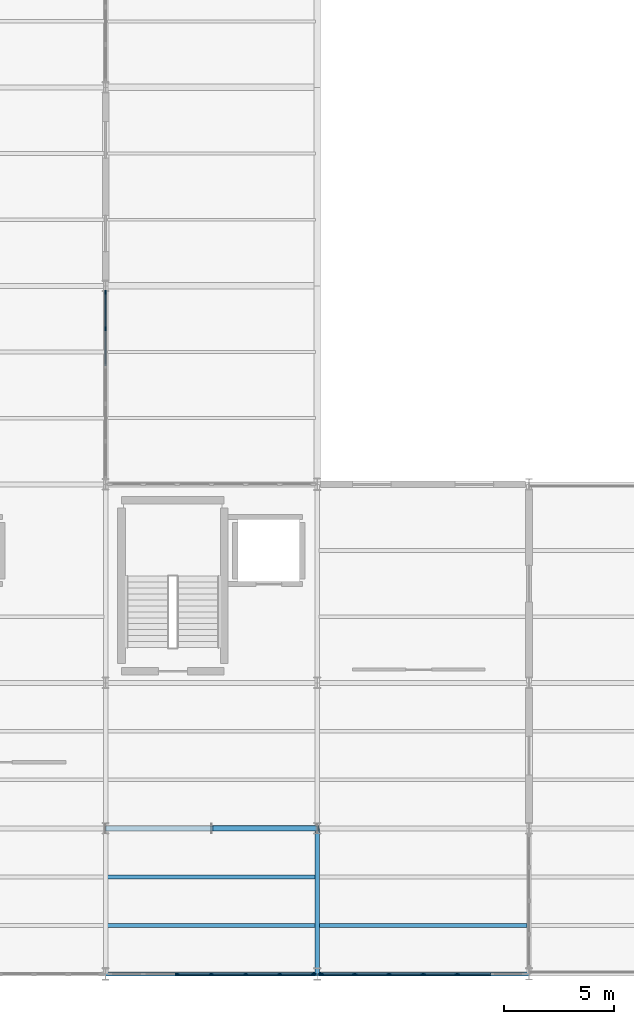
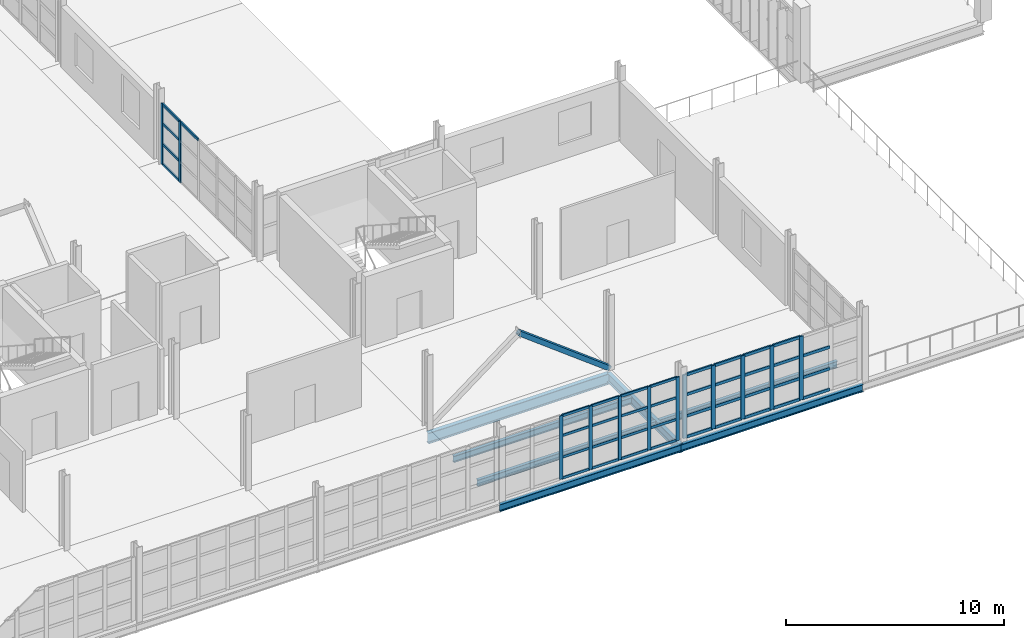
# One storey, part 16 of 82: 53 members, 7 beams, 3 elements without a shape of their own.
"""IFC4 building model written with IfcOpenShell, lengths in metres."""

import ifcopenshell
import ifcopenshell.guid

model = None  # the IFC model being written
_history = None  # IfcOwnerHistory: only IFC2X3 demands one
_inside = {}  # id of a spatial element -> (the spatial element, [elements in it])
_under = {}  # id of a project, library or spatial element -> (it, [spatial elements below it])
_declared = {}  # id of a project -> (the project, [libraries it declares])
_typed = {}  # id of a type object -> (the type object, [elements of that type])
_made_of = {}  # id of a material, layer set ... -> (it, [elements and type objects made of it])


def new_model(schema):
    """Start an empty IFC model of exactly this schema.

    Asked for "IFC4X3", IfcOpenShell would pick the latest addendum, in which some entities
    have other attributes; the version numbers below select the first issue.
    IFC2X3 requires an IfcOwnerHistory on every rooted entity: one is made here for all.
    """
    global model, _history
    if schema == "IFC4X3":
        model = ifcopenshell.file(schema_version=(4, 3, 0, 0))
    else:
        model = ifcopenshell.file(schema=schema)
    _inside.clear()
    _under.clear()
    _declared.clear()
    _typed.clear()
    _made_of.clear()
    _history = None
    if model.schema == "IFC2X3":
        org = make("IfcOrganization", Name="unknown")
        user = make(
            "IfcPersonAndOrganization",
            ThePerson=make("IfcPerson", FamilyName="unknown"),
            TheOrganization=org,
        )
        app = make(
            "IfcApplication",
            ApplicationDeveloper=org,
            Version="unknown",
            ApplicationFullName="unknown",
            ApplicationIdentifier="unknown",
        )
        _history = make(
            "IfcOwnerHistory",
            OwningUser=user,
            OwningApplication=app,
            ChangeAction="ADDED",
            CreationDate=0,
        )
    return model


def make(cls, **values):
    """One entity of the class cls with the attributes given. An attribute that is None is left unset."""
    return model.create_entity(
        cls, **{name: value for name, value in values.items() if value is not None}
    )


def rooted(cls, **values):
    """An entity with a GlobalId (a new one), such as an element, a storey or a relation."""
    return make(cls, GlobalId=ifcopenshell.guid.new(), OwnerHistory=_history, **values)


def si_unit(unit_type, name, prefix=None):
    """IfcSIUnit, for example si_unit("LENGTHUNIT", "METRE", prefix="MILLI")."""
    return make("IfcSIUnit", UnitType=unit_type, Prefix=prefix, Name=name)


def assignment(units):
    """IfcUnitAssignment: the units of a project."""
    return None if units is None else make("IfcUnitAssignment", Units=units)


def point(xyz):
    """IfcCartesianPoint."""
    return None if xyz is None else make("IfcCartesianPoint", Coordinates=xyz)


def direction(xyz):
    """IfcDirection."""
    return None if xyz is None else make("IfcDirection", DirectionRatios=xyz)


def frame(location, z_axis=None, x_axis=None):
    """IfcAxis2Placement3D, a coordinate frame: its origin and axes. An axis left out is left unset."""
    return make(
        "IfcAxis2Placement3D",
        Location=point(location),
        Axis=direction(z_axis),
        RefDirection=direction(x_axis),
    )


def frame_2d(location, x_axis=None):
    """IfcAxis2Placement2D, a coordinate frame in the plane: its origin and x axis."""
    return make(
        "IfcAxis2Placement2D", Location=point(location), RefDirection=direction(x_axis)
    )


def origin():
    """The frame at (0, 0, 0) with its axes left unset."""
    return frame((0.0, 0.0, 0.0))


def origin_2d():
    """The frame at (0, 0) in the plane with its x axis left unset."""
    return frame_2d((0.0, 0.0))


def place(relative_to, where):
    """IfcLocalPlacement: puts the frame where relative to a parent placement (None: the world)."""
    return make(
        "IfcLocalPlacement", PlacementRelTo=relative_to, RelativePlacement=where
    )


def context(
    kind, dimensions, precision=None, world=None, true_north=None, identifier=None
):
    """IfcGeometricRepresentationContext, for example the 3D "Model" context."""
    return make(
        "IfcGeometricRepresentationContext",
        ContextIdentifier=identifier,
        ContextType=kind,
        CoordinateSpaceDimension=dimensions,
        Precision=precision,
        WorldCoordinateSystem=world,
        TrueNorth=true_north,
    )


def subcontext(parent, identifier, kind, view, scale=None):
    """IfcGeometricRepresentationSubContext, for example "Body" below "Model"."""
    return make(
        "IfcGeometricRepresentationSubContext",
        ContextIdentifier=identifier,
        ContextType=kind,
        ParentContext=parent,
        TargetScale=scale,
        TargetView=view,
    )


def project(units=None, contexts=None):
    """IfcProject with its units and contexts."""
    return rooted(
        "IfcProject",
        Name="project",
        RepresentationContexts=contexts,
        UnitsInContext=assignment(units),
    )


def spatial(cls, under=None, at=None, **own):
    """A site, building, storey or space (cls), placed at a placement, below another one or the project."""
    s = rooted(cls, ObjectPlacement=at, **own)
    if under is not None:
        _under.setdefault(under.id(), (under, []))[1].append(s)
    return s


def profile(cls, at=None, kind="AREA", **sizes):
    """A parametric profile (cls). Its sizes go by their IFC names, for example OverallWidth=200.0."""
    return make(cls, ProfileType=kind, Position=at, **sizes)


def rectangle(**sizes):
    """IfcRectangleProfileDef."""
    return profile("IfcRectangleProfileDef", **sizes)


def hollow_rectangle(**sizes):
    """IfcRectangleHollowProfileDef."""
    return profile("IfcRectangleHollowProfileDef", **sizes)


def i_section(**sizes):
    """IfcIShapeProfileDef."""
    return profile("IfcIShapeProfileDef", **sizes)


def extrude(swept, where, along, depth):
    """IfcExtrudedAreaSolid: the profile swept, set in the frame where, extruded along a direction by depth."""
    return make(
        "IfcExtrudedAreaSolid",
        SweptArea=swept,
        Position=where,
        ExtrudedDirection=direction(along),
        Depth=depth,
    )


def shape(context_of_items, identifier, shape_type, items):
    """IfcShapeRepresentation: the items that make up one representation, for example the "Body"."""
    return make(
        "IfcShapeRepresentation",
        ContextOfItems=context_of_items,
        RepresentationIdentifier=identifier,
        RepresentationType=shape_type,
        Items=items,
    )


def material(Name=None, Category=None):
    """IfcMaterial."""
    return make("IfcMaterial", Name=Name, Category=Category)


def layer(
    of_material, thickness, ventilated=None, Name=None, Category=None, Priority=None
):
    """IfcMaterialLayer: one layer of a wall or slab, of a material (None: an air gap)."""
    return make(
        "IfcMaterialLayer",
        Material=of_material,
        LayerThickness=thickness,
        IsVentilated=ventilated,
        Name=Name,
        Category=Category,
        Priority=Priority,
    )


def layer_set(layers, Name=None):
    """IfcMaterialLayerSet."""
    return make("IfcMaterialLayerSet", MaterialLayers=layers, LayerSetName=Name)


def material_profile(
    of_material, cross_section, Name=None, Category=None, Priority=None
):
    """IfcMaterialProfile: a cross section and its material."""
    return make(
        "IfcMaterialProfile",
        Name=Name,
        Material=of_material,
        Profile=cross_section,
        Priority=Priority,
        Category=Category,
    )


def profile_set(profiles, Name=None, composite=None):
    """IfcMaterialProfileSet."""
    return make(
        "IfcMaterialProfileSet",
        Name=Name,
        MaterialProfiles=profiles,
        CompositeProfile=composite,
    )


def made_of(thing, what):
    """Note that an element or type object is made of a material, layer set ...; save() writes the relation."""
    if what is not None:
        _made_of.setdefault(what.id(), (what, []))[1].append(thing)
    return thing


def type_object(cls, material=None, **own):
    """A type object (cls), such as IfcWallType, which elements share."""
    return made_of(rooted(cls, **own), material)


def element(
    cls,
    number,
    at=None,
    inside=None,
    cuts=None,
    type_object=None,
    material=None,
    context=None,
    identifier="Body",
    shape_type=None,
    held_by="IfcProductDefinitionShape",
    body=None,
    shapes=None,
    **own,
):
    """One element of the class cls, such as IfcWall. Its Tag is "e" and its number.

    at: its placement. inside: the storey or other place that contains it. cuts: it is an
    opening in that element (IfcRelVoidsElement). A single representation is given by context,
    identifier, shape_type and body (its items); several are given by shapes. held_by: the class
    of the entity that holds the representations. save() writes the other relations.
    """
    e = rooted(cls, Tag="e%d" % number, ObjectPlacement=at, **own)
    if body is not None:
        shapes = [shape(context, identifier, shape_type, body)]
    if shapes is not None:
        e.Representation = make(held_by, Representations=shapes)
    if inside is not None:
        _inside.setdefault(inside.id(), (inside, []))[1].append(e)
    if cuts is not None:
        rooted(
            "IfcRelVoidsElement", RelatingBuildingElement=cuts, RelatedOpeningElement=e
        )
    if type_object is not None:
        _typed.setdefault(type_object.id(), (type_object, []))[1].append(e)
    return made_of(e, material)


def aggregate(whole, parts):
    """IfcRelAggregates: a whole, such as a stair, and the parts it consists of."""
    return rooted("IfcRelAggregates", RelatingObject=whole, RelatedObjects=parts)


def save(model, path):
    """Write the relations noted so far, then the file.

    IfcRelAggregates (storeys below a building ...), IfcRelContainedInSpatialStructure (elements
    in a storey), IfcRelDefinesByType, IfcRelAssociatesMaterial and IfcRelDeclares: one each for
    every whole, place, type object, material and project.
    """
    for whole, parts in _under.values():
        aggregate(whole, parts)
    for where, things in _inside.values():
        rooted(
            "IfcRelContainedInSpatialStructure",
            RelatedElements=things,
            RelatingStructure=where,
        )
    for kind, things in _typed.values():
        rooted("IfcRelDefinesByType", RelatedObjects=things, RelatingType=kind)
    for what, things in _made_of.values():
        rooted("IfcRelAssociatesMaterial", RelatedObjects=things, RelatingMaterial=what)
    for by, libraries in _declared.values():
        rooted("IfcRelDeclares", RelatingContext=by, RelatedDefinitions=libraries)
    model.write(path)


model = new_model("IFC4")

# Units and contexts
model_context = context("Model", 3, precision=1e-05, world=origin(), true_north=direction((0.0, 1.0)))
body_context = subcontext(model_context, "Body", "Model", "MODEL_VIEW")
ifc_project = project(units=[si_unit("LENGTHUNIT", "METRE"), si_unit("AREAUNIT", "SQUARE_METRE"), si_unit("VOLUMEUNIT", "CUBIC_METRE"), si_unit("PLANEANGLEUNIT", "RADIAN"), si_unit("MASSUNIT", "GRAM", prefix="KILO")], contexts=[model_context])

# Site, building, storey
site_placement = place(None, origin())
site = spatial("IfcSite", under=ifc_project, at=site_placement, CompositionType="ELEMENT")
building_placement = place(site_placement, origin())
building = spatial("IfcBuilding", under=site, at=building_placement, Name="Zarnetskaya Central Station", CompositionType="ELEMENT")
storey_placement = place(building_placement, frame((0.0, 0.0, 10.199951171875)))
storey = spatial("IfcBuildingStorey", under=building, at=storey_placement, Name="L02", CompositionType="ELEMENT", Elevation=10.199951171875)

# Beams
ifc_material_1 = material(Name="Steel S355", Category="steel")
ifc_material_profile_1 = material_profile(ifc_material_1, i_section(OverallWidth=0.169921875, OverallDepth=0.360107421875, WebThickness=0.008056640625, FlangeThickness=0.0126953125, FilletRadius=0.01806640625, at=origin_2d()), Name="IPE 360")
ifc_profile_set_1 = profile_set([ifc_material_profile_1], Name="Steel S355")
beam_type_1 = type_object("IfcBeamType", Name="BM-SEC-360", PredefinedType="BEAM", material=ifc_profile_set_1)
for number, where, z_axis, x_axis, name in (
    (1, (28.8798828125, 2.199951171875, -0.43994140625), (1.0, 0.0, 0.0), (0.0, 1.0, 0.0), "Secondary floor beam SEC-L02-Z994-DE-12-1"),
    (2, (28.8798828125, 4.39990234375, -0.43994140625), (1.0, 0.0, 0.0), (0.0, 1.0, 0.0), "Secondary floor beam SEC-L02-Z994-DE-12-2"),
):
    element("IfcBeam", number, at=place(storey_placement, frame(where, z_axis=z_axis, x_axis=x_axis)), inside=storey, type_object=beam_type_1, Name=name, PredefinedType="BEAM", context=body_context, shape_type="SweptSolid", body=[
        extrude(i_section(OverallWidth=0.169921875, OverallDepth=0.360107421875, WebThickness=0.008056640625, FlangeThickness=0.0126953125, FilletRadius=0.01806640625, at=origin_2d()), origin(), (0.0, 0.0, 1.0), 9.440185546875),
    ])
beam_1_placement = place(storey_placement, frame((38.47998046875, 2.199951171875, -0.43994140625), z_axis=(1.0, 0.0, 0.0), x_axis=(0.0, 1.0, 0.0)))
element("IfcBeam", 3, at=beam_1_placement, inside=storey, type_object=beam_type_1, Name="Secondary floor beam SEC-L02-Z994-EF-12-1", PredefinedType="BEAM", context=body_context, shape_type="SweptSolid", body=[
    extrude(i_section(OverallWidth=0.169921875, OverallDepth=0.360107421875, WebThickness=0.008056640625, FlangeThickness=0.0126953125, FilletRadius=0.01806640625, at=origin_2d()), origin(), (0.0, 0.0, 1.0), 9.43994140625),
])
ifc_material_profile_2 = material_profile(ifc_material_1, i_section(OverallWidth=0.179931640625, OverallDepth=0.39990234375, WebThickness=0.008544921875, FlangeThickness=0.013427734375, FilletRadius=0.02099609375, at=origin_2d()), Name="IPE 400")
ifc_profile_set_2 = profile_set([ifc_material_profile_2], Name="Steel S355")
beam_type_2 = type_object("IfcBeamType", Name="BM-SPN-V5", PredefinedType="SPANDREL", material=ifc_profile_set_2)
beam_2_placement = place(storey_placement, frame((28.800048828125, 0.0, -0.4599609375), z_axis=(1.0, 0.0, 0.0), x_axis=(0.0, 1.0, 0.0)))
element("IfcBeam", 4, at=beam_2_placement, inside=storey, type_object=beam_type_2, Name="Grid girder GX-L02-1-DE", PredefinedType="SPANDREL", context=body_context, shape_type="SweptSolid", body=[
    extrude(i_section(OverallWidth=0.179931640625, OverallDepth=0.39990234375, WebThickness=0.008544921875, FlangeThickness=0.013427734375, FilletRadius=0.02099609375, at=origin_2d()), origin(), (0.0, 0.0, 1.0), 9.599853515625),
])
beam_3_placement = place(storey_placement, frame((38.39990234375, 0.0, -0.4599609375), z_axis=(1.0, 0.0, 0.0), x_axis=(0.0, 1.0, 0.0)))
element("IfcBeam", 5, at=beam_3_placement, inside=storey, type_object=beam_type_2, Name="Grid girder GX-L02-1-EF", PredefinedType="SPANDREL", context=body_context, shape_type="SweptSolid", body=[
    extrude(i_section(OverallWidth=0.179931640625, OverallDepth=0.39990234375, WebThickness=0.008544921875, FlangeThickness=0.013427734375, FilletRadius=0.02099609375, at=origin_2d()), origin(), (0.0, 0.0, 1.0), 9.60009765625),
])

# Curtain wall, members
ifc_material_2 = material(Name="Low-E insulated glass", Category="glass")
ifc_layer_1 = layer(ifc_material_2, 0.16796875, Name="Low-E insulated glass", Category="glass")
ifc_layer_set_1 = layer_set([ifc_layer_1], Name="Low-E insulated glass")
curtain_wall_type_1 = type_object("IfcCurtainWallType", Name="CW-SYS-08", PredefinedType="USERDEFINED", material=ifc_layer_set_1)
curtain_wall_1_placement = place(storey_placement, origin())
curtain_wall_1 = element("IfcCurtainWall", 6, at=curtain_wall_1_placement, inside=storey, type_object=curtain_wall_type_1, Name="Curtain wall CW-L02-023", ObjectType="CURTAIN WALL", PredefinedType="USERDEFINED")
ifc_material_3 = material(Name="Anodised aluminium", Category="aluminium")
ifc_material_profile_3 = material_profile(ifc_material_3, rectangle(XDim=0.070068359375, YDim=0.179931640625, at=origin_2d()), Name="ALU MULL 70x180")
ifc_profile_set_3 = profile_set([ifc_material_profile_3], Name="Anodised aluminium")
member_type_1 = type_object("IfcMemberType", Name="CW-MULL-180", PredefinedType="MULLION", material=ifc_profile_set_3)
member_1_placement = place(storey_placement, frame((28.800048828125, 30.9150390625, 0.0), z_axis=(0.0, 0.0, 1.0), x_axis=(1.0, 0.0, 0.0)))
member_1 = element("IfcMember", 7, at=member_1_placement, type_object=member_type_1, Name="CW-16 mullion 1", PredefinedType="MULLION", context=body_context, shape_type="SweptSolid", body=[
    extrude(rectangle(XDim=0.070068359375, YDim=0.179931640625, at=origin_2d()), origin(), (0.0, 0.0, 1.0), 3.400146484375),
])
member_2_placement = place(storey_placement, frame((28.800048828125, 29.25, 0.0), z_axis=(0.0, 0.0, 1.0), x_axis=(1.0, 0.0, 0.0)))
member_2 = element("IfcMember", 8, at=member_2_placement, type_object=member_type_1, Name="CW-16 mullion 2", PredefinedType="MULLION", context=body_context, shape_type="SweptSolid", body=[
    extrude(rectangle(XDim=0.070068359375, YDim=0.179931640625, at=origin_2d()), origin(), (0.0, 0.0, 1.0), 3.400146484375),
])

ifc_layer_2 = layer(ifc_material_2, 0.176025390625, Name="Low-E insulated glass", Category="glass")
ifc_layer_set_2 = layer_set([ifc_layer_2], Name="Low-E insulated glass")
curtain_wall_type_2 = type_object("IfcCurtainWallType", Name="CW-SYS-05", PredefinedType="USERDEFINED", material=ifc_layer_set_2)
curtain_wall_2_placement = place(storey_placement, origin())
curtain_wall_2 = element("IfcCurtainWall", 9, at=curtain_wall_2_placement, inside=storey, type_object=curtain_wall_type_2, Name="Curtain wall CW-L02-027", ObjectType="CURTAIN WALL", PredefinedType="USERDEFINED")
member_3_placement = place(storey_placement, frame((38.215087890625, 0.0, 0.0), z_axis=(0.0, 0.0, 1.0), x_axis=(0.0, -1.0, 0.0)))
member_3 = element("IfcMember", 10, at=member_3_placement, type_object=member_type_1, Name="CW-14 mullion 1", PredefinedType="MULLION", context=body_context, shape_type="SweptSolid", body=[
    extrude(rectangle(XDim=0.070068359375, YDim=0.179931640625, at=origin_2d()), origin(), (0.0, 0.0, 1.0), 3.550048828125),
])
member_4_placement = place(storey_placement, frame((36.699951171875, 0.0, 0.0), z_axis=(0.0, 0.0, 1.0), x_axis=(0.0, -1.0, 0.0)))
member_4 = element("IfcMember", 11, at=member_4_placement, type_object=member_type_1, Name="CW-14 mullion 2", PredefinedType="MULLION", context=body_context, shape_type="SweptSolid", body=[
    extrude(rectangle(XDim=0.070068359375, YDim=0.179931640625, at=origin_2d()), origin(), (0.0, 0.0, 1.0), 3.550048828125),
])
member_5_placement = place(storey_placement, frame((35.14990234375, 0.0, 0.0), z_axis=(0.0, 0.0, 1.0), x_axis=(0.0, -1.0, 0.0)))
member_5 = element("IfcMember", 12, at=member_5_placement, type_object=member_type_1, Name="CW-14 mullion 3", PredefinedType="MULLION", context=body_context, shape_type="SweptSolid", body=[
    extrude(rectangle(XDim=0.070068359375, YDim=0.179931640625, at=origin_2d()), origin(), (0.0, 0.0, 1.0), 3.550048828125),
])
member_6_placement = place(storey_placement, frame((33.60009765625, 0.0, 0.0), z_axis=(0.0, 0.0, 1.0), x_axis=(0.0, -1.0, 0.0)))
member_6 = element("IfcMember", 13, at=member_6_placement, type_object=member_type_1, Name="CW-14 mullion 4", PredefinedType="MULLION", context=body_context, shape_type="SweptSolid", body=[
    extrude(rectangle(XDim=0.070068359375, YDim=0.179931640625, at=origin_2d()), origin(), (0.0, 0.0, 1.0), 3.550048828125),
])
member_7_placement = place(storey_placement, frame((32.050048828125, 0.0, 0.0), z_axis=(0.0, 0.0, 1.0), x_axis=(0.0, -1.0, 0.0)))
member_7 = element("IfcMember", 14, at=member_7_placement, type_object=member_type_1, Name="CW-14 mullion 5", PredefinedType="MULLION", context=body_context, shape_type="SweptSolid", body=[
    extrude(rectangle(XDim=0.070068359375, YDim=0.179931640625, at=origin_2d()), origin(), (0.0, 0.0, 1.0), 3.550048828125),
])

ifc_layer_3 = layer(ifc_material_2, 0.172119140625, Name="Low-E insulated glass", Category="glass")
ifc_layer_set_3 = layer_set([ifc_layer_3], Name="Low-E insulated glass")
curtain_wall_type_3 = type_object("IfcCurtainWallType", Name="CW-SYS-04", PredefinedType="USERDEFINED", material=ifc_layer_set_3)
curtain_wall_3_placement = place(storey_placement, origin())
curtain_wall_3 = element("IfcCurtainWall", 15, at=curtain_wall_3_placement, inside=storey, type_object=curtain_wall_type_3, Name="Curtain wall CW-L02-026", ObjectType="CURTAIN WALL", PredefinedType="USERDEFINED")
ifc_material_profile_4 = material_profile(ifc_material_3, rectangle(XDim=0.080078125, YDim=0.219970703125, at=origin_2d()), Name="ALU MULL 80x220")
ifc_profile_set_4 = profile_set([ifc_material_profile_4], Name="Anodised aluminium")
member_type_2 = type_object("IfcMemberType", Name="CW-MULL-220", PredefinedType="MULLION", material=ifc_profile_set_4)
member_8_placement = place(storey_placement, frame((44.75, 0.0, 0.0), z_axis=(0.0, 0.0, 1.0), x_axis=(0.0, -1.0, 0.0)))
member_8 = element("IfcMember", 16, at=member_8_placement, type_object=member_type_2, Name="CW-15 mullion 3", PredefinedType="MULLION", context=body_context, shape_type="SweptSolid", body=[
    extrude(rectangle(XDim=0.080078125, YDim=0.219970703125, at=origin_2d()), origin(), (0.0, 0.0, 1.0), 3.550048828125),
])
member_9_placement = place(storey_placement, frame((43.199951171875, 0.0, 0.0), z_axis=(0.0, 0.0, 1.0), x_axis=(0.0, -1.0, 0.0)))
member_9 = element("IfcMember", 17, at=member_9_placement, type_object=member_type_2, Name="CW-15 mullion 4", PredefinedType="MULLION", context=body_context, shape_type="SweptSolid", body=[
    extrude(rectangle(XDim=0.080078125, YDim=0.219970703125, at=origin_2d()), origin(), (0.0, 0.0, 1.0), 3.550048828125),
])
member_10_placement = place(storey_placement, frame((41.64990234375, 0.0, 0.0), z_axis=(0.0, 0.0, 1.0), x_axis=(0.0, -1.0, 0.0)))
member_10 = element("IfcMember", 18, at=member_10_placement, type_object=member_type_2, Name="CW-15 mullion 5", PredefinedType="MULLION", context=body_context, shape_type="SweptSolid", body=[
    extrude(rectangle(XDim=0.080078125, YDim=0.219970703125, at=origin_2d()), origin(), (0.0, 0.0, 1.0), 3.550048828125),
])
member_11_placement = place(storey_placement, frame((40.10009765625, 0.0, 0.0), z_axis=(0.0, 0.0, 1.0), x_axis=(0.0, -1.0, 0.0)))
member_11 = element("IfcMember", 19, at=member_11_placement, type_object=member_type_2, Name="CW-15 mullion 6", PredefinedType="MULLION", context=body_context, shape_type="SweptSolid", body=[
    extrude(rectangle(XDim=0.080078125, YDim=0.219970703125, at=origin_2d()), origin(), (0.0, 0.0, 1.0), 3.550048828125),
])
member_12_placement = place(storey_placement, frame((38.590087890625, 0.0, 0.0), z_axis=(0.0, 0.0, 1.0), x_axis=(0.0, -1.0, 0.0)))
member_12 = element("IfcMember", 20, at=member_12_placement, type_object=member_type_2, Name="CW-15 mullion 7", PredefinedType="MULLION", context=body_context, shape_type="SweptSolid", body=[
    extrude(rectangle(XDim=0.080078125, YDim=0.219970703125, at=origin_2d()), origin(), (0.0, 0.0, 1.0), 3.550048828125),
])

# Member
ifc_material_profile_5 = material_profile(ifc_material_3, rectangle(XDim=0.070068359375, YDim=0.139892578125, at=origin_2d()), Name="ALU TRAN 70x140")
ifc_profile_set_5 = profile_set([ifc_material_profile_5], Name="Anodised aluminium")
member_type_3 = type_object("IfcMemberType", Name="CW-TRAN-140", PredefinedType="USERDEFINED", material=ifc_profile_set_5)
member_13_placement = place(storey_placement, frame((28.800048828125, 30.8798828125, 0.03515625), z_axis=(0.0, -1.0, 0.0), x_axis=(1.0, 0.0, 0.0)))
member_13 = element("IfcMember", 21, at=member_13_placement, type_object=member_type_3, Name="CW-16 transom 1.1", ObjectType="TRANSOM", PredefinedType="USERDEFINED", context=body_context, shape_type="SweptSolid", body=[
    extrude(rectangle(XDim=0.070068359375, YDim=0.139892578125, at=origin_2d()), origin(), (0.0, 0.0, 1.0), 1.594970703125),
])

member_14_placement = place(storey_placement, frame((28.800048828125, 30.8798828125, 1.156005859375), z_axis=(0.0, -1.0, 0.0), x_axis=(1.0, 0.0, 0.0)))
member_14 = element("IfcMember", 22, at=member_14_placement, type_object=member_type_3, Name="CW-16 transom 1.2", ObjectType="TRANSOM", PredefinedType="USERDEFINED", context=body_context, shape_type="SweptSolid", body=[
    extrude(rectangle(XDim=0.070068359375, YDim=0.139892578125, at=origin_2d()), origin(), (0.0, 0.0, 1.0), 1.594970703125),
])

member_15_placement = place(storey_placement, frame((28.800048828125, 30.8798828125, 2.31201171875), z_axis=(0.0, -1.0, 0.0), x_axis=(1.0, 0.0, 0.0)))
member_15 = element("IfcMember", 23, at=member_15_placement, type_object=member_type_3, Name="CW-16 transom 1.3", ObjectType="TRANSOM", PredefinedType="USERDEFINED", context=body_context, shape_type="SweptSolid", body=[
    extrude(rectangle(XDim=0.070068359375, YDim=0.139892578125, at=origin_2d()), origin(), (0.0, 0.0, 1.0), 1.594970703125),
])

member_16_placement = place(storey_placement, frame((28.800048828125, 30.8798828125, 3.364990234375), z_axis=(0.0, -1.0, 0.0), x_axis=(1.0, 0.0, 0.0)))
member_16 = element("IfcMember", 24, at=member_16_placement, type_object=member_type_3, Name="CW-16 transom 1.4", ObjectType="TRANSOM", PredefinedType="USERDEFINED", context=body_context, shape_type="SweptSolid", body=[
    extrude(rectangle(XDim=0.070068359375, YDim=0.139892578125, at=origin_2d()), origin(), (0.0, 0.0, 1.0), 1.594970703125),
])

member_17_placement = place(storey_placement, frame((28.800048828125, 29.215087890625, 3.364990234375), z_axis=(0.0, -1.0, 0.0), x_axis=(1.0, 0.0, 0.0)))
member_17 = element("IfcMember", 25, at=member_17_placement, type_object=member_type_3, Name="CW-16 transom 2.4", ObjectType="TRANSOM", PredefinedType="USERDEFINED", context=body_context, shape_type="SweptSolid", body=[
    extrude(rectangle(XDim=0.070068359375, YDim=0.139892578125, at=origin_2d()), origin(), (0.0, 0.0, 1.0), 1.630126953125),
])

aggregate(curtain_wall_1, [member_1, member_2, member_13, member_14, member_15, member_16, member_17])

member_18_placement = place(storey_placement, frame((38.179931640625, 0.0, 0.03515625), z_axis=(-1.0, 0.0, 0.0), x_axis=(0.0, -1.0, 0.0)))
member_18 = element("IfcMember", 26, at=member_18_placement, type_object=member_type_3, Name="CW-14 transom 1.1", ObjectType="TRANSOM", PredefinedType="USERDEFINED", context=body_context, shape_type="SweptSolid", body=[
    extrude(rectangle(XDim=0.070068359375, YDim=0.139892578125, at=origin_2d()), origin(), (0.0, 0.0, 1.0), 1.44482421875),
])

member_19_placement = place(storey_placement, frame((38.179931640625, 0.0, 1.20703125), z_axis=(-1.0, 0.0, 0.0), x_axis=(0.0, -1.0, 0.0)))
member_19 = element("IfcMember", 27, at=member_19_placement, type_object=member_type_3, Name="CW-14 transom 1.2", ObjectType="TRANSOM", PredefinedType="USERDEFINED", context=body_context, shape_type="SweptSolid", body=[
    extrude(rectangle(XDim=0.070068359375, YDim=0.139892578125, at=origin_2d()), origin(), (0.0, 0.0, 1.0), 1.44482421875),
])

member_20_placement = place(storey_placement, frame((38.179931640625, 0.0, 2.4140625), z_axis=(-1.0, 0.0, 0.0), x_axis=(0.0, -1.0, 0.0)))
member_20 = element("IfcMember", 28, at=member_20_placement, type_object=member_type_3, Name="CW-14 transom 1.3", ObjectType="TRANSOM", PredefinedType="USERDEFINED", context=body_context, shape_type="SweptSolid", body=[
    extrude(rectangle(XDim=0.070068359375, YDim=0.139892578125, at=origin_2d()), origin(), (0.0, 0.0, 1.0), 1.44482421875),
])

member_21_placement = place(storey_placement, frame((38.179931640625, 0.0, 3.51513671875), z_axis=(-1.0, 0.0, 0.0), x_axis=(0.0, -1.0, 0.0)))
member_21 = element("IfcMember", 29, at=member_21_placement, type_object=member_type_3, Name="CW-14 transom 1.4", ObjectType="TRANSOM", PredefinedType="USERDEFINED", context=body_context, shape_type="SweptSolid", body=[
    extrude(rectangle(XDim=0.070068359375, YDim=0.139892578125, at=origin_2d()), origin(), (0.0, 0.0, 1.0), 1.44482421875),
])

member_22_placement = place(storey_placement, frame((36.6650390625, 0.0, 0.03515625), z_axis=(-1.0, 0.0, 0.0), x_axis=(0.0, -1.0, 0.0)))
member_22 = element("IfcMember", 30, at=member_22_placement, type_object=member_type_3, Name="CW-14 transom 2.1", ObjectType="TRANSOM", PredefinedType="USERDEFINED", context=body_context, shape_type="SweptSolid", body=[
    extrude(rectangle(XDim=0.070068359375, YDim=0.139892578125, at=origin_2d()), origin(), (0.0, 0.0, 1.0), 1.47998046875),
])

member_23_placement = place(storey_placement, frame((36.6650390625, 0.0, 1.20703125), z_axis=(-1.0, 0.0, 0.0), x_axis=(0.0, -1.0, 0.0)))
member_23 = element("IfcMember", 31, at=member_23_placement, type_object=member_type_3, Name="CW-14 transom 2.2", ObjectType="TRANSOM", PredefinedType="USERDEFINED", context=body_context, shape_type="SweptSolid", body=[
    extrude(rectangle(XDim=0.070068359375, YDim=0.139892578125, at=origin_2d()), origin(), (0.0, 0.0, 1.0), 1.47998046875),
])

member_24_placement = place(storey_placement, frame((36.6650390625, 0.0, 2.4140625), z_axis=(-1.0, 0.0, 0.0), x_axis=(0.0, -1.0, 0.0)))
member_24 = element("IfcMember", 32, at=member_24_placement, type_object=member_type_3, Name="CW-14 transom 2.3", ObjectType="TRANSOM", PredefinedType="USERDEFINED", context=body_context, shape_type="SweptSolid", body=[
    extrude(rectangle(XDim=0.070068359375, YDim=0.139892578125, at=origin_2d()), origin(), (0.0, 0.0, 1.0), 1.47998046875),
])

member_25_placement = place(storey_placement, frame((36.6650390625, 0.0, 3.51513671875), z_axis=(-1.0, 0.0, 0.0), x_axis=(0.0, -1.0, 0.0)))
member_25 = element("IfcMember", 33, at=member_25_placement, type_object=member_type_3, Name="CW-14 transom 2.4", ObjectType="TRANSOM", PredefinedType="USERDEFINED", context=body_context, shape_type="SweptSolid", body=[
    extrude(rectangle(XDim=0.070068359375, YDim=0.139892578125, at=origin_2d()), origin(), (0.0, 0.0, 1.0), 1.47998046875),
])

member_26_placement = place(storey_placement, frame((35.114990234375, 0.0, 0.03515625), z_axis=(-1.0, 0.0, 0.0), x_axis=(0.0, -1.0, 0.0)))
member_26 = element("IfcMember", 34, at=member_26_placement, type_object=member_type_3, Name="CW-14 transom 3.1", ObjectType="TRANSOM", PredefinedType="USERDEFINED", context=body_context, shape_type="SweptSolid", body=[
    extrude(rectangle(XDim=0.070068359375, YDim=0.139892578125, at=origin_2d()), origin(), (0.0, 0.0, 1.0), 1.47998046875),
])

member_27_placement = place(storey_placement, frame((35.114990234375, 0.0, 1.20703125), z_axis=(-1.0, 0.0, 0.0), x_axis=(0.0, -1.0, 0.0)))
member_27 = element("IfcMember", 35, at=member_27_placement, type_object=member_type_3, Name="CW-14 transom 3.2", ObjectType="TRANSOM", PredefinedType="USERDEFINED", context=body_context, shape_type="SweptSolid", body=[
    extrude(rectangle(XDim=0.070068359375, YDim=0.139892578125, at=origin_2d()), origin(), (0.0, 0.0, 1.0), 1.47998046875),
])

member_28_placement = place(storey_placement, frame((35.114990234375, 0.0, 2.4140625), z_axis=(-1.0, 0.0, 0.0), x_axis=(0.0, -1.0, 0.0)))
member_28 = element("IfcMember", 36, at=member_28_placement, type_object=member_type_3, Name="CW-14 transom 3.3", ObjectType="TRANSOM", PredefinedType="USERDEFINED", context=body_context, shape_type="SweptSolid", body=[
    extrude(rectangle(XDim=0.070068359375, YDim=0.139892578125, at=origin_2d()), origin(), (0.0, 0.0, 1.0), 1.47998046875),
])

member_29_placement = place(storey_placement, frame((35.114990234375, 0.0, 3.51513671875), z_axis=(-1.0, 0.0, 0.0), x_axis=(0.0, -1.0, 0.0)))
member_29 = element("IfcMember", 37, at=member_29_placement, type_object=member_type_3, Name="CW-14 transom 3.4", ObjectType="TRANSOM", PredefinedType="USERDEFINED", context=body_context, shape_type="SweptSolid", body=[
    extrude(rectangle(XDim=0.070068359375, YDim=0.139892578125, at=origin_2d()), origin(), (0.0, 0.0, 1.0), 1.47998046875),
])

member_30_placement = place(storey_placement, frame((33.56494140625, 0.0, 0.03515625), z_axis=(-1.0, 0.0, 0.0), x_axis=(0.0, -1.0, 0.0)))
member_30 = element("IfcMember", 38, at=member_30_placement, type_object=member_type_3, Name="CW-14 transom 4.1", ObjectType="TRANSOM", PredefinedType="USERDEFINED", context=body_context, shape_type="SweptSolid", body=[
    extrude(rectangle(XDim=0.070068359375, YDim=0.139892578125, at=origin_2d()), origin(), (0.0, 0.0, 1.0), 1.47998046875),
])

member_31_placement = place(storey_placement, frame((33.56494140625, 0.0, 1.20703125), z_axis=(-1.0, 0.0, 0.0), x_axis=(0.0, -1.0, 0.0)))
member_31 = element("IfcMember", 39, at=member_31_placement, type_object=member_type_3, Name="CW-14 transom 4.2", ObjectType="TRANSOM", PredefinedType="USERDEFINED", context=body_context, shape_type="SweptSolid", body=[
    extrude(rectangle(XDim=0.070068359375, YDim=0.139892578125, at=origin_2d()), origin(), (0.0, 0.0, 1.0), 1.47998046875),
])

member_32_placement = place(storey_placement, frame((33.56494140625, 0.0, 2.4140625), z_axis=(-1.0, 0.0, 0.0), x_axis=(0.0, -1.0, 0.0)))
member_32 = element("IfcMember", 40, at=member_32_placement, type_object=member_type_3, Name="CW-14 transom 4.3", ObjectType="TRANSOM", PredefinedType="USERDEFINED", context=body_context, shape_type="SweptSolid", body=[
    extrude(rectangle(XDim=0.070068359375, YDim=0.139892578125, at=origin_2d()), origin(), (0.0, 0.0, 1.0), 1.47998046875),
])

member_33_placement = place(storey_placement, frame((33.56494140625, 0.0, 3.51513671875), z_axis=(-1.0, 0.0, 0.0), x_axis=(0.0, -1.0, 0.0)))
member_33 = element("IfcMember", 41, at=member_33_placement, type_object=member_type_3, Name="CW-14 transom 4.4", ObjectType="TRANSOM", PredefinedType="USERDEFINED", context=body_context, shape_type="SweptSolid", body=[
    extrude(rectangle(XDim=0.070068359375, YDim=0.139892578125, at=origin_2d()), origin(), (0.0, 0.0, 1.0), 1.47998046875),
])

aggregate(curtain_wall_2, [member_3, member_4, member_5, member_6, member_7, member_18, member_19, member_20, member_21, member_22, member_23, member_24, member_25, member_26, member_27, member_28, member_29, member_30, member_31, member_32, member_33])

ifc_material_profile_6 = material_profile(ifc_material_3, rectangle(XDim=0.080078125, YDim=0.159912109375, at=origin_2d()), Name="ALU TRAN 80x160")
ifc_profile_set_6 = profile_set([ifc_material_profile_6], Name="Anodised aluminium")
member_type_4 = type_object("IfcMemberType", Name="CW-TRAN-160", PredefinedType="USERDEFINED", material=ifc_profile_set_6)
member_34_placement = place(storey_placement, frame((46.260009765625, 0.0, 0.0400390625), z_axis=(-1.0, 0.0, 0.0), x_axis=(0.0, -1.0, 0.0)))
member_34 = element("IfcMember", 42, at=member_34_placement, type_object=member_type_4, Name="CW-15 transom 2.1", ObjectType="TRANSOM", PredefinedType="USERDEFINED", context=body_context, shape_type="SweptSolid", body=[
    extrude(rectangle(XDim=0.080078125, YDim=0.159912109375, at=origin_2d()), origin(), (0.0, 0.0, 1.0), 1.469970703125),
])

member_35_placement = place(storey_placement, frame((46.260009765625, 0.0, 1.20703125), z_axis=(-1.0, 0.0, 0.0), x_axis=(0.0, -1.0, 0.0)))
member_35 = element("IfcMember", 43, at=member_35_placement, type_object=member_type_4, Name="CW-15 transom 2.2", ObjectType="TRANSOM", PredefinedType="USERDEFINED", context=body_context, shape_type="SweptSolid", body=[
    extrude(rectangle(XDim=0.080078125, YDim=0.159912109375, at=origin_2d()), origin(), (0.0, 0.0, 1.0), 1.469970703125),
])

member_36_placement = place(storey_placement, frame((46.260009765625, 0.0, 2.4140625), z_axis=(-1.0, 0.0, 0.0), x_axis=(0.0, -1.0, 0.0)))
member_36 = element("IfcMember", 44, at=member_36_placement, type_object=member_type_4, Name="CW-15 transom 2.3", ObjectType="TRANSOM", PredefinedType="USERDEFINED", context=body_context, shape_type="SweptSolid", body=[
    extrude(rectangle(XDim=0.080078125, YDim=0.159912109375, at=origin_2d()), origin(), (0.0, 0.0, 1.0), 1.469970703125),
])

member_37_placement = place(storey_placement, frame((44.7099609375, 0.0, 0.0400390625), z_axis=(-1.0, 0.0, 0.0), x_axis=(0.0, -1.0, 0.0)))
member_37 = element("IfcMember", 45, at=member_37_placement, type_object=member_type_4, Name="CW-15 transom 3.1", ObjectType="TRANSOM", PredefinedType="USERDEFINED", context=body_context, shape_type="SweptSolid", body=[
    extrude(rectangle(XDim=0.080078125, YDim=0.159912109375, at=origin_2d()), origin(), (0.0, 0.0, 1.0), 1.469970703125),
])

member_38_placement = place(storey_placement, frame((44.7099609375, 0.0, 1.20703125), z_axis=(-1.0, 0.0, 0.0), x_axis=(0.0, -1.0, 0.0)))
member_38 = element("IfcMember", 46, at=member_38_placement, type_object=member_type_4, Name="CW-15 transom 3.2", ObjectType="TRANSOM", PredefinedType="USERDEFINED", context=body_context, shape_type="SweptSolid", body=[
    extrude(rectangle(XDim=0.080078125, YDim=0.159912109375, at=origin_2d()), origin(), (0.0, 0.0, 1.0), 1.469970703125),
])

member_39_placement = place(storey_placement, frame((44.7099609375, 0.0, 2.4140625), z_axis=(-1.0, 0.0, 0.0), x_axis=(0.0, -1.0, 0.0)))
member_39 = element("IfcMember", 47, at=member_39_placement, type_object=member_type_4, Name="CW-15 transom 3.3", ObjectType="TRANSOM", PredefinedType="USERDEFINED", context=body_context, shape_type="SweptSolid", body=[
    extrude(rectangle(XDim=0.080078125, YDim=0.159912109375, at=origin_2d()), origin(), (0.0, 0.0, 1.0), 1.469970703125),
])

member_40_placement = place(storey_placement, frame((44.7099609375, 0.0, 3.510009765625), z_axis=(-1.0, 0.0, 0.0), x_axis=(0.0, -1.0, 0.0)))
member_40 = element("IfcMember", 48, at=member_40_placement, type_object=member_type_4, Name="CW-15 transom 3.4", ObjectType="TRANSOM", PredefinedType="USERDEFINED", context=body_context, shape_type="SweptSolid", body=[
    extrude(rectangle(XDim=0.080078125, YDim=0.159912109375, at=origin_2d()), origin(), (0.0, 0.0, 1.0), 1.469970703125),
])

member_41_placement = place(storey_placement, frame((43.159912109375, 0.0, 0.0400390625), z_axis=(-1.0, 0.0, 0.0), x_axis=(0.0, -1.0, 0.0)))
member_41 = element("IfcMember", 49, at=member_41_placement, type_object=member_type_4, Name="CW-15 transom 4.1", ObjectType="TRANSOM", PredefinedType="USERDEFINED", context=body_context, shape_type="SweptSolid", body=[
    extrude(rectangle(XDim=0.080078125, YDim=0.159912109375, at=origin_2d()), origin(), (0.0, 0.0, 1.0), 1.469970703125),
])

member_42_placement = place(storey_placement, frame((43.159912109375, 0.0, 1.20703125), z_axis=(-1.0, 0.0, 0.0), x_axis=(0.0, -1.0, 0.0)))
member_42 = element("IfcMember", 50, at=member_42_placement, type_object=member_type_4, Name="CW-15 transom 4.2", ObjectType="TRANSOM", PredefinedType="USERDEFINED", context=body_context, shape_type="SweptSolid", body=[
    extrude(rectangle(XDim=0.080078125, YDim=0.159912109375, at=origin_2d()), origin(), (0.0, 0.0, 1.0), 1.469970703125),
])

member_43_placement = place(storey_placement, frame((43.159912109375, 0.0, 2.4140625), z_axis=(-1.0, 0.0, 0.0), x_axis=(0.0, -1.0, 0.0)))
member_43 = element("IfcMember", 51, at=member_43_placement, type_object=member_type_4, Name="CW-15 transom 4.3", ObjectType="TRANSOM", PredefinedType="USERDEFINED", context=body_context, shape_type="SweptSolid", body=[
    extrude(rectangle(XDim=0.080078125, YDim=0.159912109375, at=origin_2d()), origin(), (0.0, 0.0, 1.0), 1.469970703125),
])

member_44_placement = place(storey_placement, frame((43.159912109375, 0.0, 3.510009765625), z_axis=(-1.0, 0.0, 0.0), x_axis=(0.0, -1.0, 0.0)))
member_44 = element("IfcMember", 52, at=member_44_placement, type_object=member_type_4, Name="CW-15 transom 4.4", ObjectType="TRANSOM", PredefinedType="USERDEFINED", context=body_context, shape_type="SweptSolid", body=[
    extrude(rectangle(XDim=0.080078125, YDim=0.159912109375, at=origin_2d()), origin(), (0.0, 0.0, 1.0), 1.469970703125),
])

member_45_placement = place(storey_placement, frame((41.610107421875, 0.0, 0.0400390625), z_axis=(-1.0, 0.0, 0.0), x_axis=(0.0, -1.0, 0.0)))
member_45 = element("IfcMember", 53, at=member_45_placement, type_object=member_type_4, Name="CW-15 transom 5.1", ObjectType="TRANSOM", PredefinedType="USERDEFINED", context=body_context, shape_type="SweptSolid", body=[
    extrude(rectangle(XDim=0.080078125, YDim=0.159912109375, at=origin_2d()), origin(), (0.0, 0.0, 1.0), 1.47021484375),
])

member_46_placement = place(storey_placement, frame((41.610107421875, 0.0, 1.20703125), z_axis=(-1.0, 0.0, 0.0), x_axis=(0.0, -1.0, 0.0)))
member_46 = element("IfcMember", 54, at=member_46_placement, type_object=member_type_4, Name="CW-15 transom 5.2", ObjectType="TRANSOM", PredefinedType="USERDEFINED", context=body_context, shape_type="SweptSolid", body=[
    extrude(rectangle(XDim=0.080078125, YDim=0.159912109375, at=origin_2d()), origin(), (0.0, 0.0, 1.0), 1.47021484375),
])

member_47_placement = place(storey_placement, frame((41.610107421875, 0.0, 2.4140625), z_axis=(-1.0, 0.0, 0.0), x_axis=(0.0, -1.0, 0.0)))
member_47 = element("IfcMember", 55, at=member_47_placement, type_object=member_type_4, Name="CW-15 transom 5.3", ObjectType="TRANSOM", PredefinedType="USERDEFINED", context=body_context, shape_type="SweptSolid", body=[
    extrude(rectangle(XDim=0.080078125, YDim=0.159912109375, at=origin_2d()), origin(), (0.0, 0.0, 1.0), 1.47021484375),
])

member_48_placement = place(storey_placement, frame((41.610107421875, 0.0, 3.510009765625), z_axis=(-1.0, 0.0, 0.0), x_axis=(0.0, -1.0, 0.0)))
member_48 = element("IfcMember", 56, at=member_48_placement, type_object=member_type_4, Name="CW-15 transom 5.4", ObjectType="TRANSOM", PredefinedType="USERDEFINED", context=body_context, shape_type="SweptSolid", body=[
    extrude(rectangle(XDim=0.080078125, YDim=0.159912109375, at=origin_2d()), origin(), (0.0, 0.0, 1.0), 1.47021484375),
])

member_49_placement = place(storey_placement, frame((40.06005859375, 0.0, 0.0400390625), z_axis=(-1.0, 0.0, 0.0), x_axis=(0.0, -1.0, 0.0)))
member_49 = element("IfcMember", 57, at=member_49_placement, type_object=member_type_4, Name="CW-15 transom 6.1", ObjectType="TRANSOM", PredefinedType="USERDEFINED", context=body_context, shape_type="SweptSolid", body=[
    extrude(rectangle(XDim=0.080078125, YDim=0.159912109375, at=origin_2d()), origin(), (0.0, 0.0, 1.0), 1.43017578125),
])

member_50_placement = place(storey_placement, frame((40.06005859375, 0.0, 1.20703125), z_axis=(-1.0, 0.0, 0.0), x_axis=(0.0, -1.0, 0.0)))
member_50 = element("IfcMember", 58, at=member_50_placement, type_object=member_type_4, Name="CW-15 transom 6.2", ObjectType="TRANSOM", PredefinedType="USERDEFINED", context=body_context, shape_type="SweptSolid", body=[
    extrude(rectangle(XDim=0.080078125, YDim=0.159912109375, at=origin_2d()), origin(), (0.0, 0.0, 1.0), 1.43017578125),
])

member_51_placement = place(storey_placement, frame((40.06005859375, 0.0, 2.4140625), z_axis=(-1.0, 0.0, 0.0), x_axis=(0.0, -1.0, 0.0)))
member_51 = element("IfcMember", 59, at=member_51_placement, type_object=member_type_4, Name="CW-15 transom 6.3", ObjectType="TRANSOM", PredefinedType="USERDEFINED", context=body_context, shape_type="SweptSolid", body=[
    extrude(rectangle(XDim=0.080078125, YDim=0.159912109375, at=origin_2d()), origin(), (0.0, 0.0, 1.0), 1.43017578125),
])

member_52_placement = place(storey_placement, frame((40.06005859375, 0.0, 3.510009765625), z_axis=(-1.0, 0.0, 0.0), x_axis=(0.0, -1.0, 0.0)))
member_52 = element("IfcMember", 60, at=member_52_placement, type_object=member_type_4, Name="CW-15 transom 6.4", ObjectType="TRANSOM", PredefinedType="USERDEFINED", context=body_context, shape_type="SweptSolid", body=[
    extrude(rectangle(XDim=0.080078125, YDim=0.159912109375, at=origin_2d()), origin(), (0.0, 0.0, 1.0), 1.43017578125),
])

aggregate(curtain_wall_3, [member_8, member_9, member_10, member_11, member_12, member_34, member_35, member_36, member_37, member_38, member_39, member_40, member_41, member_42, member_43, member_44, member_45, member_46, member_47, member_48, member_49, member_50, member_51, member_52])

# Beams
ifc_material_profile_7 = material_profile(ifc_material_1, i_section(OverallWidth=0.199951171875, OverallDepth=0.5, WebThickness=0.01025390625, FlangeThickness=0.01611328125, FilletRadius=0.02099609375, at=origin_2d()), Name="IPE 500")
ifc_profile_set_7 = profile_set([ifc_material_profile_7], Name="Steel S355")
beam_type_3 = type_object("IfcBeamType", Name="GD-FLR-500", PredefinedType="USERDEFINED", material=ifc_profile_set_7)
beam_4_placement = place(storey_placement, frame((38.39990234375, 0.0, -0.510009765625), z_axis=(0.0, 1.0, 0.0), x_axis=(-1.0, 0.0, 0.0)))
element("IfcBeam", 61, at=beam_4_placement, inside=storey, type_object=beam_type_3, Name="Grid girder GY-L02-E-12", ObjectType="GIRDER", PredefinedType="USERDEFINED", context=body_context, shape_type="SweptSolid", body=[
    extrude(i_section(OverallWidth=0.199951171875, OverallDepth=0.5, WebThickness=0.01025390625, FlangeThickness=0.01611328125, FilletRadius=0.02099609375, at=origin_2d()), origin(), (0.0, 0.0, 1.0), 6.60009765625),
])
ifc_material_profile_8 = material_profile(ifc_material_1, i_section(OverallWidth=0.219970703125, OverallDepth=0.60009765625, WebThickness=0.011962890625, FlangeThickness=0.01904296875, FilletRadius=0.02392578125, at=origin_2d()), Name="IPE 600")
ifc_profile_set_8 = profile_set([ifc_material_profile_8], Name="Steel S355")
beam_type_4 = type_object("IfcBeamType", Name="GD-FLR-600", PredefinedType="USERDEFINED", material=ifc_profile_set_8)
beam_5_placement = place(storey_placement, frame((28.800048828125, 6.60009765625, -0.56005859375), z_axis=(1.0, 0.0, 0.0), x_axis=(0.0, 1.0, 0.0)))
element("IfcBeam", 62, at=beam_5_placement, inside=storey, type_object=beam_type_4, Name="Grid girder GX-L02-2-DE", ObjectType="GIRDER", PredefinedType="USERDEFINED", context=body_context, shape_type="SweptSolid", body=[
    extrude(i_section(OverallWidth=0.219970703125, OverallDepth=0.60009765625, WebThickness=0.011962890625, FlangeThickness=0.01904296875, FilletRadius=0.02392578125, at=origin_2d()), origin(), (0.0, 0.0, 1.0), 9.599853515625),
])

# Member
ifc_material_profile_9 = material_profile(ifc_material_1, hollow_rectangle(XDim=0.25, YDim=0.25, WallThickness=0.012451171875, at=origin_2d()), Name="SHS 250x250x12.5")
ifc_profile_set_9 = profile_set([ifc_material_profile_9], Name="Steel S355")
member_type_5 = type_object("IfcMemberType", Name="MB-CBF-BRACE", PredefinedType="BRACE", material=ifc_profile_set_9)
member_53_placement = place(storey_placement, frame((38.39990234375, 6.60009765625, 0.0), z_axis=(-0.79597881533, 0.0, 0.605324479552), x_axis=(0.0, -1.0, 0.0)))
element("IfcMember", 63, at=member_53_placement, inside=storey, type_object=member_type_5, Name="Concentrically braced frame chevron 2R L02", PredefinedType="BRACE", context=body_context, shape_type="SweptSolid", body=[
    extrude(hollow_rectangle(XDim=0.25, YDim=0.25, WallThickness=0.012451171875, at=origin_2d()), origin(), (0.0, 0.0, 1.0), 6.030029296875),
])

save(model, "model.ifc")
